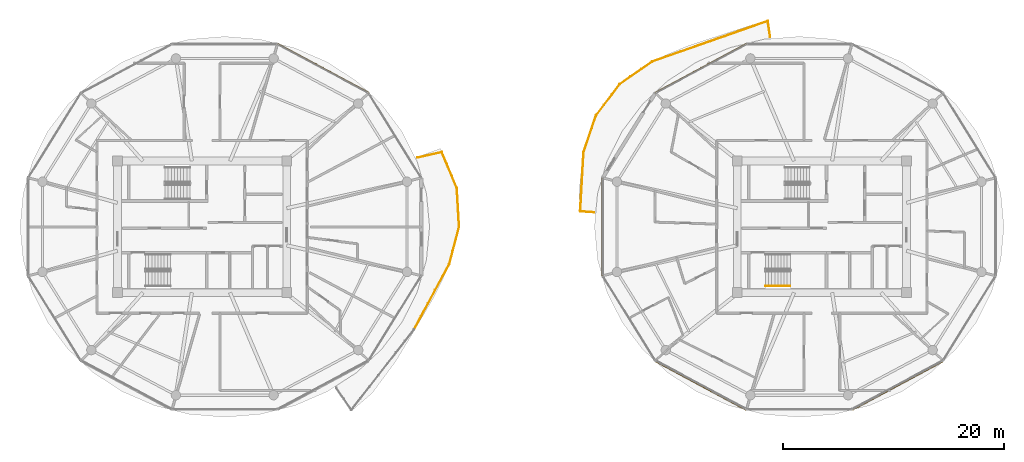
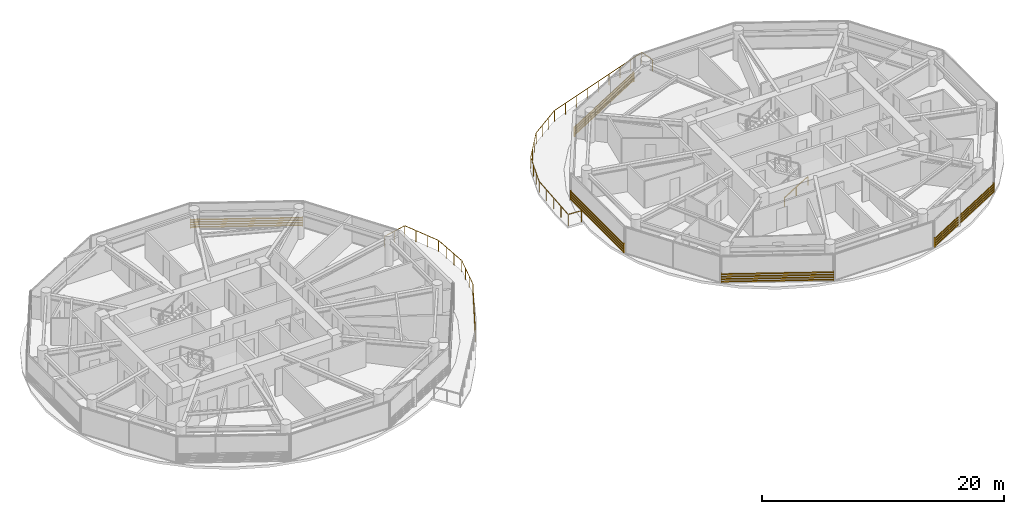
# One storey, part 21 of 22: 5 shading devices, 4 railings.
"""IFC4 building model written with IfcOpenShell, lengths in metres."""

from ifc_helpers import new_model, si_unit, direction, frame, origin, origin_2d, place, context, subcontext, project, spatial, rectangle, extrude, source, transform, mapped, material, type_object, type_shapes, element, save


model = new_model("IFC4")

# Units and contexts
model_context = context("Model", 3, precision=1e-05, world=origin(), true_north=direction((0.0, 1.0)))
body_context = subcontext(model_context, "Body", "Model", "MODEL_VIEW")
ifc_project = project(units=[si_unit("LENGTHUNIT", "METRE"), si_unit("AREAUNIT", "SQUARE_METRE"), si_unit("VOLUMEUNIT", "CUBIC_METRE"), si_unit("PLANEANGLEUNIT", "RADIAN"), si_unit("MASSUNIT", "GRAM", prefix="KILO")], contexts=[model_context])

# Site, building, storey
site_placement = place(None, origin())
site = spatial("IfcSite", under=ifc_project, at=site_placement, CompositionType="ELEMENT")
building_placement = place(site_placement, origin())
building = spatial("IfcBuilding", under=site, at=building_placement, Name="Norrkilde Senior Care Towers", CompositionType="ELEMENT")
storey_placement = place(building_placement, frame((0.0, 0.0, 126.75)))
storey = spatial("IfcBuildingStorey", under=building, at=storey_placement, Name="L39", CompositionType="ELEMENT", Elevation=126.75)

# Railings
ifc_material_1 = material(Name="Anodised Aluminium", Category="aluminium")
railing_type_1 = type_object("IfcRailingType", Name="Balcony Swirl Ribbon Guardrail 1150", PredefinedType="GUARDRAIL", material=ifc_material_1)
railing_1_placement = place(storey_placement, frame((6.466796875, 6.718505859375, 0.0)))
element("IfcRailing", 1, at=railing_1_placement, inside=storey, type_object=railing_type_1, Name="L39 Perimeter Safety Guard 01", PredefinedType="GUARDRAIL", context=body_context, shape_type="SweptSolid", body=[
    extrude(rectangle(XDim=0.048095703125, YDim=0.048095703125, at=origin_2d()), frame((0.0, 0.0, 1.1259765625), z_axis=(0.319801195168, 0.947484667722, 0.0), x_axis=(-0.947484667722, 0.319801195168, 0.0)), (0.0, 0.0, 1.0), 3.482177734375),
    extrude(rectangle(XDim=0.048095703125, YDim=0.048095703125, at=origin_2d()), frame((1.1513671875, 3.37060546875, 1.1259765625), z_axis=(0.604093160475, 0.796913705157, 0.0), x_axis=(-0.796913705157, 0.604093160475, 0.0)), (0.0, 0.0, 1.0), 3.470947265625),
    extrude(rectangle(XDim=0.048095703125, YDim=0.048095703125, at=origin_2d()), frame((3.306396484375, 6.19287109375, 1.1259765625), z_axis=(0.821037418959, 0.570874379062, 0.0), x_axis=(-0.570874379062, 0.821037418959, 0.0)), (0.0, 0.0, 1.0), 3.4931640625),
    extrude(rectangle(XDim=0.048095703125, YDim=0.048095703125, at=origin_2d()), frame((6.24658203125, 8.2236328125, 1.1259765625), z_axis=(0.943741958607, 0.33068280204, 0.0), x_axis=(-0.33068280204, 0.943741958607, 0.0)), (0.0, 0.0, 1.0), 10.976318359375),
    extrude(rectangle(XDim=0.048095703125, YDim=0.048095703125, at=origin_2d()), frame((16.650146484375, 11.826416015625, 1.1259765625), z_axis=(0.146733735099, -0.989176026288, 0.0), x_axis=(0.989176026288, 0.146733735099, 0.0)), (0.0, 0.0, 1.0), 1.393310546875),
    extrude(rectangle(XDim=0.0419921875, YDim=0.0419921875, at=origin_2d()), origin(), (0.0, 0.0, 1.0), 1.099853515625),
    extrude(rectangle(XDim=0.0419921875, YDim=0.0419921875, at=origin_2d()), frame((0.37548828125, 1.11279296875, 0.0)), (0.0, 0.0, 1.0), 1.099853515625),
    extrude(rectangle(XDim=0.0419921875, YDim=0.0419921875, at=origin_2d()), frame((0.751220703125, 2.225341796875, 0.0)), (0.0, 0.0, 1.0), 1.099853515625),
    extrude(rectangle(XDim=0.0419921875, YDim=0.0419921875, at=origin_2d()), frame((1.126708984375, 3.338134765625, 0.0)), (0.0, 0.0, 1.0), 1.099853515625),
    extrude(rectangle(XDim=0.0419921875, YDim=0.0419921875, at=origin_2d()), frame((1.842041015625, 4.281982421875, 0.0)), (0.0, 0.0, 1.0), 1.099853515625),
    extrude(rectangle(XDim=0.0419921875, YDim=0.0419921875, at=origin_2d()), frame((2.5576171875, 5.2255859375, 0.0)), (0.0, 0.0, 1.0), 1.099853515625),
    extrude(rectangle(XDim=0.0419921875, YDim=0.0419921875, at=origin_2d()), frame((3.27294921875, 6.16943359375, 0.0)), (0.0, 0.0, 1.0), 1.099853515625),
    extrude(rectangle(XDim=0.0419921875, YDim=0.0419921875, at=origin_2d()), frame((4.251220703125, 6.849609375, 0.0)), (0.0, 0.0, 1.0), 1.099853515625),
    extrude(rectangle(XDim=0.0419921875, YDim=0.0419921875, at=origin_2d()), frame((5.229736328125, 7.530029296875, 0.0)), (0.0, 0.0, 1.0), 1.099853515625),
    extrude(rectangle(XDim=0.0419921875, YDim=0.0419921875, at=origin_2d()), frame((6.2080078125, 8.210205078125, 0.0)), (0.0, 0.0, 1.0), 1.099853515625),
    extrude(rectangle(XDim=0.0419921875, YDim=0.0419921875, at=origin_2d()), frame((7.512451171875, 8.667236328125, 0.0)), (0.0, 0.0, 1.0), 1.099853515625),
    extrude(rectangle(XDim=0.0419921875, YDim=0.0419921875, at=origin_2d()), frame((8.81689453125, 9.12451171875, 0.0)), (0.0, 0.0, 1.0), 1.099853515625),
    extrude(rectangle(XDim=0.0419921875, YDim=0.0419921875, at=origin_2d()), frame((10.12158203125, 9.58154296875, 0.0)), (0.0, 0.0, 1.0), 1.099853515625),
    extrude(rectangle(XDim=0.0419921875, YDim=0.0419921875, at=origin_2d()), frame((11.426025390625, 10.03857421875, 0.0)), (0.0, 0.0, 1.0), 1.099853515625),
    extrude(rectangle(XDim=0.0419921875, YDim=0.0419921875, at=origin_2d()), frame((12.73046875, 10.49560546875, 0.0)), (0.0, 0.0, 1.0), 1.099853515625),
    extrude(rectangle(XDim=0.0419921875, YDim=0.0419921875, at=origin_2d()), frame((14.03515625, 10.95263671875, 0.0)), (0.0, 0.0, 1.0), 1.099853515625),
    extrude(rectangle(XDim=0.0419921875, YDim=0.0419921875, at=origin_2d()), frame((15.339599609375, 11.409912109375, 0.0)), (0.0, 0.0, 1.0), 1.099853515625),
    extrude(rectangle(XDim=0.0419921875, YDim=0.0419921875, at=origin_2d()), frame((16.64404296875, 11.866943359375, 0.0)), (0.0, 0.0, 1.0), 1.099853515625),
    extrude(rectangle(XDim=0.0419921875, YDim=0.0419921875, at=origin_2d()), frame((16.8544921875, 10.4482421875, 0.0)), (0.0, 0.0, 1.0), 1.099853515625),
])
railing_2_placement = place(storey_placement, frame((7.392333984375, 1.30908203125, 0.0)))
element("IfcRailing", 2, at=railing_2_placement, inside=storey, type_object=railing_type_1, Name="L39 Perimeter Safety Guard 02", PredefinedType="GUARDRAIL", context=body_context, shape_type="SweptSolid", body=[
    extrude(rectangle(XDim=0.048095703125, YDim=0.048095703125, at=origin_2d()), frame((0.0, 0.0, 1.1259765625), z_axis=(-0.997814907018, 0.066071259502, 0.0), x_axis=(-0.066071259502, -0.997814907018, 0.0)), (0.0, 0.0, 1.0), 1.189697265625),
    extrude(rectangle(XDim=0.048095703125, YDim=0.048095703125, at=origin_2d()), frame((-1.2255859375, 0.1220703125, 1.1259765625), z_axis=(0.0566354891, 0.99839492255, 0.0), x_axis=(-0.99839492255, 0.0566354891, 0.0)), (0.0, 0.0, 1.0), 5.2958984375),
    extrude(rectangle(XDim=0.0419921875, YDim=0.0419921875, at=origin_2d()), origin(), (0.0, 0.0, 1.0), 1.099853515625),
    extrude(rectangle(XDim=0.0419921875, YDim=0.0419921875, at=origin_2d()), frame((-1.227783203125, 0.081298828125, 0.0)), (0.0, 0.0, 1.0), 1.099853515625),
    extrude(rectangle(XDim=0.0419921875, YDim=0.0419921875, at=origin_2d()), frame((-1.15234375, 1.413330078125, 0.0)), (0.0, 0.0, 1.0), 1.099853515625),
    extrude(rectangle(XDim=0.0419921875, YDim=0.0419921875, at=origin_2d()), frame((-1.07666015625, 2.745361328125, 0.0)), (0.0, 0.0, 1.0), 1.099853515625),
    extrude(rectangle(XDim=0.0419921875, YDim=0.0419921875, at=origin_2d()), frame((-1.0009765625, 4.077392578125, 0.0)), (0.0, 0.0, 1.0), 1.099853515625),
    extrude(rectangle(XDim=0.0419921875, YDim=0.0419921875, at=origin_2d()), frame((-0.925537109375, 5.409423828125, 0.0)), (0.0, 0.0, 1.0), 1.099853515625),
])
railing_3_placement = place(storey_placement, frame((-8.54443359375, 6.24169921875, 0.0)))
element("IfcRailing", 3, at=railing_3_placement, inside=storey, type_object=railing_type_1, Name="L39 Perimeter Safety Guard 04", PredefinedType="GUARDRAIL", context=body_context, shape_type="SweptSolid", body=[
    extrude(rectangle(XDim=0.048095703125, YDim=0.048095703125, at=origin_2d()), frame((0.0, 0.0, 1.1259765625), z_axis=(0.97531505497, 0.220817896805, 0.0), x_axis=(-0.220817896805, 0.97531505497, 0.0)), (0.0, 0.0, 1.0), 2.218994140625),
    extrude(rectangle(XDim=0.048095703125, YDim=0.048095703125, at=origin_2d()), frame((2.219970703125, 0.46142578125, 1.1259765625), z_axis=(0.386610248221, -0.922243197844, 0.0), x_axis=(0.922243197844, 0.386610248221, 0.0)), (0.0, 0.0, 1.0), 3.427490234375),
    extrude(rectangle(XDim=0.048095703125, YDim=0.048095703125, at=origin_2d()), frame((3.563232421875, -2.778076171875, 1.1259765625), z_axis=(0.058554482232, -0.998284214345, 0.0), x_axis=(0.998284214345, 0.058554482232, 0.0)), (0.0, 0.0, 1.0), 3.420654296875),
    extrude(rectangle(XDim=0.048095703125, YDim=0.048095703125, at=origin_2d()), frame((3.75537109375, -6.273193359375, 1.1259765625), z_axis=(-0.254345115212, -0.967113520931, 0.0), x_axis=(0.967113520931, -0.254345115212, 0.0)), (0.0, 0.0, 1.0), 3.405517578125),
    extrude(rectangle(XDim=0.048095703125, YDim=0.048095703125, at=origin_2d()), frame((2.859619140625, -9.64208984375, 1.1259765625), z_axis=(-0.47403256855, -0.880507310562, 0.0), x_axis=(0.880507310562, -0.47403256855, 0.0)), (0.0, 0.0, 1.0), 6.669921875),
    extrude(rectangle(XDim=0.0419921875, YDim=0.0419921875, at=origin_2d()), origin(), (0.0, 0.0, 1.0), 1.099853515625),
    extrude(rectangle(XDim=0.0419921875, YDim=0.0419921875, at=origin_2d()), frame((1.10205078125, 0.24951171875, 0.0)), (0.0, 0.0, 1.0), 1.099853515625),
    extrude(rectangle(XDim=0.0419921875, YDim=0.0419921875, at=origin_2d()), frame((2.2041015625, 0.4990234375, 0.0)), (0.0, 0.0, 1.0), 1.099853515625),
    extrude(rectangle(XDim=0.0419921875, YDim=0.0419921875, at=origin_2d()), frame((2.65625, -0.579833984375, 0.0)), (0.0, 0.0, 1.0), 1.099853515625),
    extrude(rectangle(XDim=0.0419921875, YDim=0.0419921875, at=origin_2d()), frame((3.108642578125, -1.658447265625, 0.0)), (0.0, 0.0, 1.0), 1.099853515625),
    extrude(rectangle(XDim=0.0419921875, YDim=0.0419921875, at=origin_2d()), frame((3.560791015625, -2.7373046875, 0.0)), (0.0, 0.0, 1.0), 1.099853515625),
    extrude(rectangle(XDim=0.0419921875, YDim=0.0419921875, at=origin_2d()), frame((3.629150390625, -3.90283203125, 0.0)), (0.0, 0.0, 1.0), 1.099853515625),
    extrude(rectangle(XDim=0.0419921875, YDim=0.0419921875, at=origin_2d()), frame((3.697509765625, -5.068115234375, 0.0)), (0.0, 0.0, 1.0), 1.099853515625),
    extrude(rectangle(XDim=0.0419921875, YDim=0.0419921875, at=origin_2d()), frame((3.765869140625, -6.233642578125, 0.0)), (0.0, 0.0, 1.0), 1.099853515625),
    extrude(rectangle(XDim=0.0419921875, YDim=0.0419921875, at=origin_2d()), frame((3.47021484375, -7.35791015625, 0.0)), (0.0, 0.0, 1.0), 1.099853515625),
    extrude(rectangle(XDim=0.0419921875, YDim=0.0419921875, at=origin_2d()), frame((3.174560546875, -8.48193359375, 0.0)), (0.0, 0.0, 1.0), 1.099853515625),
    extrude(rectangle(XDim=0.0419921875, YDim=0.0419921875, at=origin_2d()), frame((2.87890625, -9.606201171875, 0.0)), (0.0, 0.0, 1.0), 1.099853515625),
    extrude(rectangle(XDim=0.0419921875, YDim=0.0419921875, at=origin_2d()), frame((2.24267578125, -10.7880859375, 0.0)), (0.0, 0.0, 1.0), 1.099853515625),
    extrude(rectangle(XDim=0.0419921875, YDim=0.0419921875, at=origin_2d()), frame((1.6064453125, -11.9697265625, 0.0)), (0.0, 0.0, 1.0), 1.099853515625),
    extrude(rectangle(XDim=0.0419921875, YDim=0.0419921875, at=origin_2d()), frame((0.97021484375, -13.151611328125, 0.0)), (0.0, 0.0, 1.0), 1.099853515625),
    extrude(rectangle(XDim=0.0419921875, YDim=0.0419921875, at=origin_2d()), frame((0.333984375, -14.333251953125, 0.0)), (0.0, 0.0, 1.0), 1.099853515625),
    extrude(rectangle(XDim=0.0419921875, YDim=0.0419921875, at=origin_2d()), frame((-0.30224609375, -15.51513671875, 0.0)), (0.0, 0.0, 1.0), 1.099853515625),
])
ifc_material_2 = material(Name="Nordic Ash Timber", Category="wood")
railing_type_2 = type_object("IfcRailingType", Name="Wall and Stair Handrail 900", PredefinedType="HANDRAIL", material=ifc_material_2)
railing_4_placement = place(storey_placement, frame((22.89990234375, -5.35009765625, 0.16943359375)))
element("IfcRailing", 4, at=railing_4_placement, inside=storey, type_object=railing_type_2, Name="L39 ST-E2 stair handrail 1", PredefinedType="HANDRAIL", context=body_context, shape_type="SweptSolid", body=[
    extrude(rectangle(XDim=0.048095703125, YDim=0.048095703125, at=origin_2d()), frame((0.0, 0.0, 0.8759765625), z_axis=(0.855553338991, 0.0, 0.51771467445), x_axis=(0.0, 1.0, 0.0)), (0.0, 0.0, 1.0), 2.6181640625),
    extrude(rectangle(XDim=0.0419921875, YDim=0.0419921875, at=origin_2d()), origin(), (0.0, 0.0, 1.0), 0.849853515625),
    extrude(rectangle(XDim=0.0419921875, YDim=0.0419921875, at=origin_2d()), frame((1.1201171875, 0.0, 0.677734375)), (0.0, 0.0, 1.0), 0.849853515625),
    extrude(rectangle(XDim=0.0419921875, YDim=0.0419921875, at=origin_2d()), frame((2.239990234375, 0.0, 1.35546875)), (0.0, 0.0, 1.0), 0.849853515625),
])

# Shading devices
ifc_material_3 = material(Name="Architectural Terracotta", Category="masonry")
shading_device_type = type_object("IfcShadingDeviceType", Name="Horizontal Terracotta Baguette Rack", PredefinedType="USERDEFINED", material=ifc_material_3)
shared_shape_1 = source(origin(), body_context, "Body", "SweptSolid", [
    extrude(rectangle(XDim=0.070068359375, YDim=0.110107421875, at=origin_2d()), frame((0.0, 0.090087890625, 0.125), z_axis=(1.0, 0.0, 0.0), x_axis=(0.0, 1.0, 0.0)), (0.0, 0.0, 1.0), 9.3505859375),
    extrude(rectangle(XDim=0.070068359375, YDim=0.110107421875, at=origin_2d()), frame((0.0, 0.090087890625, 0.375), z_axis=(1.0, 0.0, 0.0), x_axis=(0.0, 1.0, 0.0)), (0.0, 0.0, 1.0), 9.3505859375),
    extrude(rectangle(XDim=0.070068359375, YDim=0.110107421875, at=origin_2d()), frame((0.0, 0.090087890625, 0.625), z_axis=(1.0, 0.0, 0.0), x_axis=(0.0, 1.0, 0.0)), (0.0, 0.0, 1.0), 9.3505859375),
    extrude(rectangle(XDim=0.070068359375, YDim=0.110107421875, at=origin_2d()), frame((0.0, 0.090087890625, 0.875), z_axis=(1.0, 0.0, 0.0), x_axis=(0.0, 1.0, 0.0)), (0.0, 0.0, 1.0), 9.3505859375),
    extrude(rectangle(XDim=0.050048828125, YDim=0.1552734375, at=origin_2d()), frame((0.02490234375, 0.047607421875, 0.0)), (0.0, 0.0, 1.0), 1.0),
    extrude(rectangle(XDim=0.050048828125, YDim=0.1552734375, at=origin_2d()), frame((9.32568359375, 0.047607421875, 0.0)), (0.0, 0.0, 1.0), 1.0),
])
for number, where, z_axis, x_axis, name in (
    (5, (-21.19287109375, 16.498046875, 0.080078125), (0.0, 0.0, 1.0), (0.881174934726, -0.472767624021, 0.0), "L39 Drum W Terracotta Baguette Screen 01"),
    (6, (12.953369140625, 12.077392578125, 0.080078125), (0.0, 0.0, 1.0), (0.881174934726, 0.472767624021, 0.0), "L39 Drum E Terracotta Baguette Screen 03"),
    (7, (21.19287109375, -16.498046875, 0.080078125), (0.0, 0.0, 1.0), (-0.881174934726, 0.472767624021, 0.0), "L39 Drum E Terracotta Baguette Screen 07"),
    (8, (38.946533203125, -12.077392578125, 0.080078125), (0.0, 0.0, 1.0), (-0.881174934726, -0.472767624021, 0.0), "L39 Drum E Terracotta Baguette Screen 09"),
):
    element("IfcShadingDevice", number, at=place(storey_placement, frame(where, z_axis=z_axis, x_axis=x_axis)), inside=storey, type_object=shading_device_type, Name=name, ObjectType="BAGUETTE", PredefinedType="USERDEFINED", context=body_context, shape_type="MappedRepresentation", body=[
        mapped(shared_shape_1, transform((0.0, 0.0, 0.0), x_axis=(1.0, 0.0, 0.0), y_axis=(0.0, 1.0, 0.0), z_axis=(0.0, 0.0, 1.0), scale=1.0)),
    ])
shared_shape_2 = source(origin(), body_context, "Body", "SweptSolid", [
    extrude(rectangle(XDim=0.070068359375, YDim=0.110107421875, at=origin_2d()), frame((0.0, 0.090087890625, 0.125), z_axis=(1.0, 0.0, 0.0), x_axis=(0.0, 1.0, 0.0)), (0.0, 0.0, 1.0), 8.84130859375),
    extrude(rectangle(XDim=0.070068359375, YDim=0.110107421875, at=origin_2d()), frame((0.0, 0.090087890625, 0.375), z_axis=(1.0, 0.0, 0.0), x_axis=(0.0, 1.0, 0.0)), (0.0, 0.0, 1.0), 8.84130859375),
    extrude(rectangle(XDim=0.070068359375, YDim=0.110107421875, at=origin_2d()), frame((0.0, 0.090087890625, 0.625), z_axis=(1.0, 0.0, 0.0), x_axis=(0.0, 1.0, 0.0)), (0.0, 0.0, 1.0), 8.84130859375),
    extrude(rectangle(XDim=0.070068359375, YDim=0.110107421875, at=origin_2d()), frame((0.0, 0.090087890625, 0.875), z_axis=(1.0, 0.0, 0.0), x_axis=(0.0, 1.0, 0.0)), (0.0, 0.0, 1.0), 8.84130859375),
    extrude(rectangle(XDim=0.050048828125, YDim=0.1552734375, at=origin_2d()), frame((0.02490234375, 0.047607421875, 0.0)), (0.0, 0.0, 1.0), 1.0),
    extrude(rectangle(XDim=0.050048828125, YDim=0.1552734375, at=origin_2d()), frame((8.81640625, 0.047607421875, 0.0)), (0.0, 0.0, 1.0), 1.0),
])
type_shapes(shading_device_type, [shared_shape_1, shared_shape_2])
shading_device_placement = place(storey_placement, frame((8.1962890625, -4.420654296875, 0.080078125), z_axis=(0.0, 0.0, 1.0), x_axis=(0.0, 1.0, 0.0)))
element("IfcShadingDevice", 9, at=shading_device_placement, inside=storey, type_object=shading_device_type, Name="L39 Drum E Terracotta Baguette Screen 05", ObjectType="BAGUETTE", PredefinedType="USERDEFINED", context=body_context, shape_type="MappedRepresentation", body=[
    mapped(shared_shape_2, transform((0.0, 0.0, 0.0), x_axis=(1.0, 0.0, 0.0), y_axis=(0.0, 1.0, 0.0), z_axis=(0.0, 0.0, 1.0), scale=1.0)),
])

save(model, "model.ifc")
